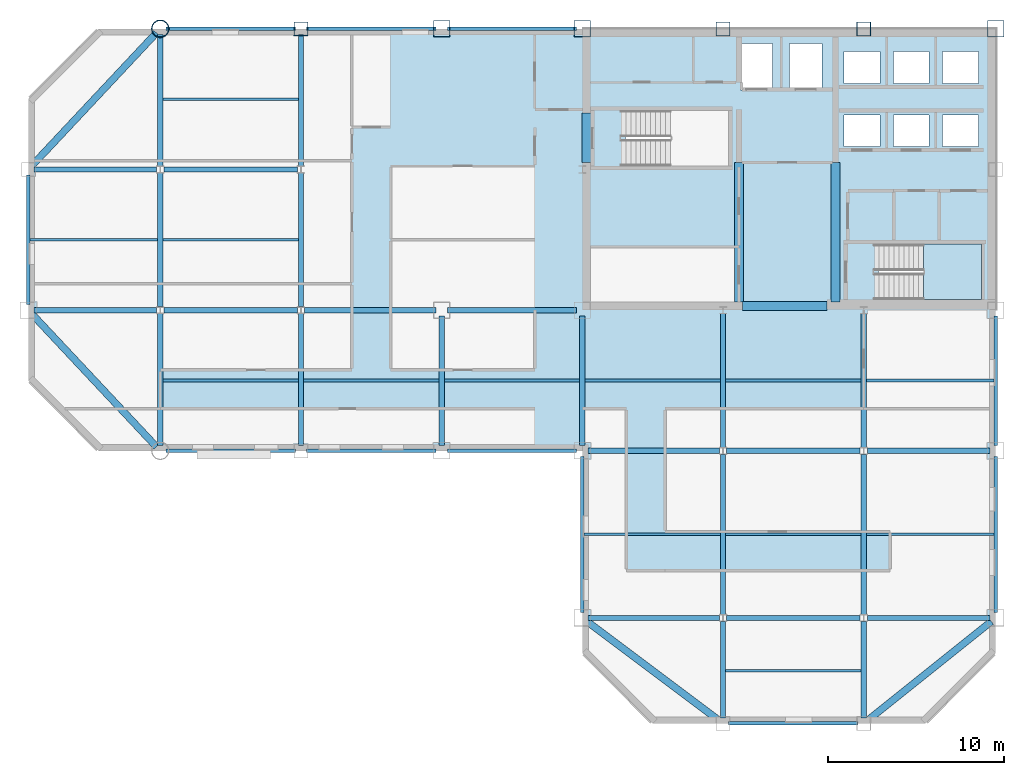
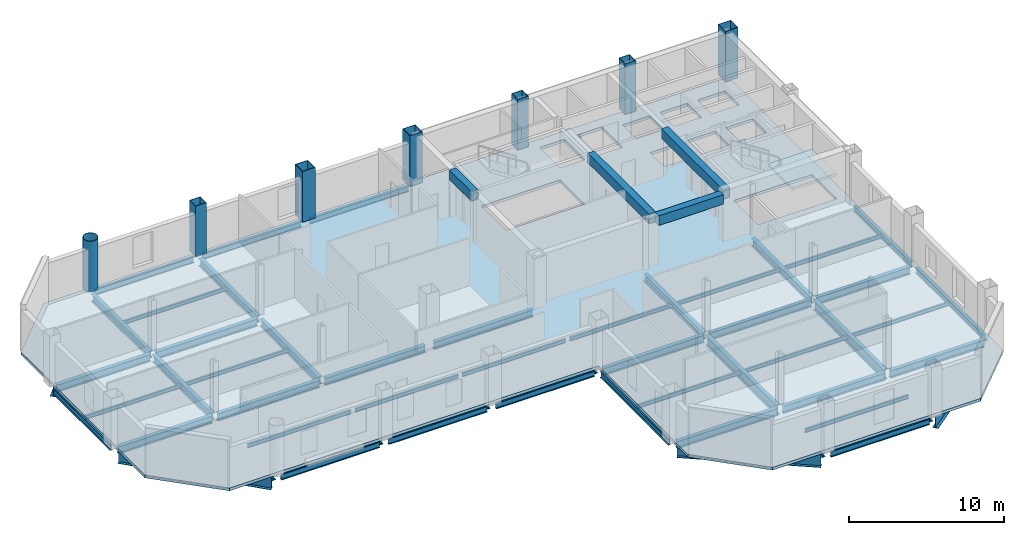
# One storey, part 3 of 10: 58 beams, 7 columns, 2 slabs, 1 element without a shape of its own.
"""IFC4 building model written with IfcOpenShell, lengths in metres."""

import ifcopenshell
import ifcopenshell.guid

model = None  # the IFC model being written
_history = None  # IfcOwnerHistory: only IFC2X3 demands one
_inside = {}  # id of a spatial element -> (the spatial element, [elements in it])
_under = {}  # id of a project, library or spatial element -> (it, [spatial elements below it])
_declared = {}  # id of a project -> (the project, [libraries it declares])
_typed = {}  # id of a type object -> (the type object, [elements of that type])
_made_of = {}  # id of a material, layer set ... -> (it, [elements and type objects made of it])


def new_model(schema):
    """Start an empty IFC model of exactly this schema.

    Asked for "IFC4X3", IfcOpenShell would pick the latest addendum, in which some entities
    have other attributes; the version numbers below select the first issue.
    IFC2X3 requires an IfcOwnerHistory on every rooted entity: one is made here for all.
    """
    global model, _history
    if schema == "IFC4X3":
        model = ifcopenshell.file(schema_version=(4, 3, 0, 0))
    else:
        model = ifcopenshell.file(schema=schema)
    _inside.clear()
    _under.clear()
    _declared.clear()
    _typed.clear()
    _made_of.clear()
    _history = None
    if model.schema == "IFC2X3":
        org = make("IfcOrganization", Name="unknown")
        user = make(
            "IfcPersonAndOrganization",
            ThePerson=make("IfcPerson", FamilyName="unknown"),
            TheOrganization=org,
        )
        app = make(
            "IfcApplication",
            ApplicationDeveloper=org,
            Version="unknown",
            ApplicationFullName="unknown",
            ApplicationIdentifier="unknown",
        )
        _history = make(
            "IfcOwnerHistory",
            OwningUser=user,
            OwningApplication=app,
            ChangeAction="ADDED",
            CreationDate=0,
        )
    return model


def make(cls, **values):
    """One entity of the class cls with the attributes given. An attribute that is None is left unset."""
    return model.create_entity(
        cls, **{name: value for name, value in values.items() if value is not None}
    )


def rooted(cls, **values):
    """An entity with a GlobalId (a new one), such as an element, a storey or a relation."""
    return make(cls, GlobalId=ifcopenshell.guid.new(), OwnerHistory=_history, **values)


def si_unit(unit_type, name, prefix=None):
    """IfcSIUnit, for example si_unit("LENGTHUNIT", "METRE", prefix="MILLI")."""
    return make("IfcSIUnit", UnitType=unit_type, Prefix=prefix, Name=name)


def assignment(units):
    """IfcUnitAssignment: the units of a project."""
    return None if units is None else make("IfcUnitAssignment", Units=units)


def point(xyz):
    """IfcCartesianPoint."""
    return None if xyz is None else make("IfcCartesianPoint", Coordinates=xyz)


def direction(xyz):
    """IfcDirection."""
    return None if xyz is None else make("IfcDirection", DirectionRatios=xyz)


def frame(location, z_axis=None, x_axis=None):
    """IfcAxis2Placement3D, a coordinate frame: its origin and axes. An axis left out is left unset."""
    return make(
        "IfcAxis2Placement3D",
        Location=point(location),
        Axis=direction(z_axis),
        RefDirection=direction(x_axis),
    )


def frame_2d(location, x_axis=None):
    """IfcAxis2Placement2D, a coordinate frame in the plane: its origin and x axis."""
    return make(
        "IfcAxis2Placement2D", Location=point(location), RefDirection=direction(x_axis)
    )


def origin():
    """The frame at (0, 0, 0) with its axes left unset."""
    return frame((0.0, 0.0, 0.0))


def origin_2d():
    """The frame at (0, 0) in the plane with its x axis left unset."""
    return frame_2d((0.0, 0.0))


def place(relative_to, where):
    """IfcLocalPlacement: puts the frame where relative to a parent placement (None: the world)."""
    return make(
        "IfcLocalPlacement", PlacementRelTo=relative_to, RelativePlacement=where
    )


def context(
    kind, dimensions, precision=None, world=None, true_north=None, identifier=None
):
    """IfcGeometricRepresentationContext, for example the 3D "Model" context."""
    return make(
        "IfcGeometricRepresentationContext",
        ContextIdentifier=identifier,
        ContextType=kind,
        CoordinateSpaceDimension=dimensions,
        Precision=precision,
        WorldCoordinateSystem=world,
        TrueNorth=true_north,
    )


def subcontext(parent, identifier, kind, view, scale=None):
    """IfcGeometricRepresentationSubContext, for example "Body" below "Model"."""
    return make(
        "IfcGeometricRepresentationSubContext",
        ContextIdentifier=identifier,
        ContextType=kind,
        ParentContext=parent,
        TargetScale=scale,
        TargetView=view,
    )


def project(units=None, contexts=None):
    """IfcProject with its units and contexts."""
    return rooted(
        "IfcProject",
        Name="project",
        RepresentationContexts=contexts,
        UnitsInContext=assignment(units),
    )


def spatial(cls, under=None, at=None, **own):
    """A site, building, storey or space (cls), placed at a placement, below another one or the project."""
    s = rooted(cls, ObjectPlacement=at, **own)
    if under is not None:
        _under.setdefault(under.id(), (under, []))[1].append(s)
    return s


def polyline(points):
    """IfcPolyline through the points."""
    return make("IfcPolyline", Points=[point(p) for p in points])


def profile(cls, at=None, kind="AREA", **sizes):
    """A parametric profile (cls). Its sizes go by their IFC names, for example OverallWidth=200.0."""
    return make(cls, ProfileType=kind, Position=at, **sizes)


def rectangle(**sizes):
    """IfcRectangleProfileDef."""
    return profile("IfcRectangleProfileDef", **sizes)


def hollow_rectangle(**sizes):
    """IfcRectangleHollowProfileDef."""
    return profile("IfcRectangleHollowProfileDef", **sizes)


def hollow_circle(**sizes):
    """IfcCircleHollowProfileDef."""
    return profile("IfcCircleHollowProfileDef", **sizes)


def i_section(**sizes):
    """IfcIShapeProfileDef."""
    return profile("IfcIShapeProfileDef", **sizes)


def outline(outer, holes=None, kind="AREA"):
    """IfcArbitraryClosedProfileDef: a profile drawn as a closed curve; with holes, ...WithVoids."""
    if holes is None:
        return make("IfcArbitraryClosedProfileDef", ProfileType=kind, OuterCurve=outer)
    return make(
        "IfcArbitraryProfileDefWithVoids",
        ProfileType=kind,
        OuterCurve=outer,
        InnerCurves=holes,
    )


def extrude(swept, where, along, depth):
    """IfcExtrudedAreaSolid: the profile swept, set in the frame where, extruded along a direction by depth."""
    return make(
        "IfcExtrudedAreaSolid",
        SweptArea=swept,
        Position=where,
        ExtrudedDirection=direction(along),
        Depth=depth,
    )


def shape(context_of_items, identifier, shape_type, items):
    """IfcShapeRepresentation: the items that make up one representation, for example the "Body"."""
    return make(
        "IfcShapeRepresentation",
        ContextOfItems=context_of_items,
        RepresentationIdentifier=identifier,
        RepresentationType=shape_type,
        Items=items,
    )


def material(Name=None, Category=None):
    """IfcMaterial."""
    return make("IfcMaterial", Name=Name, Category=Category)


def layer(
    of_material, thickness, ventilated=None, Name=None, Category=None, Priority=None
):
    """IfcMaterialLayer: one layer of a wall or slab, of a material (None: an air gap)."""
    return make(
        "IfcMaterialLayer",
        Material=of_material,
        LayerThickness=thickness,
        IsVentilated=ventilated,
        Name=Name,
        Category=Category,
        Priority=Priority,
    )


def layer_set(layers, Name=None):
    """IfcMaterialLayerSet."""
    return make("IfcMaterialLayerSet", MaterialLayers=layers, LayerSetName=Name)


def material_profile(
    of_material, cross_section, Name=None, Category=None, Priority=None
):
    """IfcMaterialProfile: a cross section and its material."""
    return make(
        "IfcMaterialProfile",
        Name=Name,
        Material=of_material,
        Profile=cross_section,
        Priority=Priority,
        Category=Category,
    )


def profile_set(profiles, Name=None, composite=None):
    """IfcMaterialProfileSet."""
    return make(
        "IfcMaterialProfileSet",
        Name=Name,
        MaterialProfiles=profiles,
        CompositeProfile=composite,
    )


def made_of(thing, what):
    """Note that an element or type object is made of a material, layer set ...; save() writes the relation."""
    if what is not None:
        _made_of.setdefault(what.id(), (what, []))[1].append(thing)
    return thing


def type_object(cls, material=None, **own):
    """A type object (cls), such as IfcWallType, which elements share."""
    return made_of(rooted(cls, **own), material)


def element(
    cls,
    number,
    at=None,
    inside=None,
    cuts=None,
    type_object=None,
    material=None,
    context=None,
    identifier="Body",
    shape_type=None,
    held_by="IfcProductDefinitionShape",
    body=None,
    shapes=None,
    **own,
):
    """One element of the class cls, such as IfcWall. Its Tag is "e" and its number.

    at: its placement. inside: the storey or other place that contains it. cuts: it is an
    opening in that element (IfcRelVoidsElement). A single representation is given by context,
    identifier, shape_type and body (its items); several are given by shapes. held_by: the class
    of the entity that holds the representations. save() writes the other relations.
    """
    e = rooted(cls, Tag="e%d" % number, ObjectPlacement=at, **own)
    if body is not None:
        shapes = [shape(context, identifier, shape_type, body)]
    if shapes is not None:
        e.Representation = make(held_by, Representations=shapes)
    if inside is not None:
        _inside.setdefault(inside.id(), (inside, []))[1].append(e)
    if cuts is not None:
        rooted(
            "IfcRelVoidsElement", RelatingBuildingElement=cuts, RelatedOpeningElement=e
        )
    if type_object is not None:
        _typed.setdefault(type_object.id(), (type_object, []))[1].append(e)
    return made_of(e, material)


def aggregate(whole, parts):
    """IfcRelAggregates: a whole, such as a stair, and the parts it consists of."""
    return rooted("IfcRelAggregates", RelatingObject=whole, RelatedObjects=parts)


def save(model, path):
    """Write the relations noted so far, then the file.

    IfcRelAggregates (storeys below a building ...), IfcRelContainedInSpatialStructure (elements
    in a storey), IfcRelDefinesByType, IfcRelAssociatesMaterial and IfcRelDeclares: one each for
    every whole, place, type object, material and project.
    """
    for whole, parts in _under.values():
        aggregate(whole, parts)
    for where, things in _inside.values():
        rooted(
            "IfcRelContainedInSpatialStructure",
            RelatedElements=things,
            RelatingStructure=where,
        )
    for kind, things in _typed.values():
        rooted("IfcRelDefinesByType", RelatedObjects=things, RelatingType=kind)
    for what, things in _made_of.values():
        rooted("IfcRelAssociatesMaterial", RelatedObjects=things, RelatingMaterial=what)
    for by, libraries in _declared.values():
        rooted("IfcRelDeclares", RelatingContext=by, RelatedDefinitions=libraries)
    model.write(path)


model = new_model("IFC4")

# Units and contexts
model_context = context("Model", 3, precision=1e-05, world=origin(), true_north=direction((0.0, 1.0)))
body_context = subcontext(model_context, "Body", "Model", "MODEL_VIEW")
ifc_project = project(units=[si_unit("LENGTHUNIT", "METRE"), si_unit("AREAUNIT", "SQUARE_METRE"), si_unit("VOLUMEUNIT", "CUBIC_METRE"), si_unit("PLANEANGLEUNIT", "RADIAN"), si_unit("MASSUNIT", "GRAM", prefix="KILO")], contexts=[model_context])

# Site, building, storey
site_placement = place(None, origin())
site = spatial("IfcSite", under=ifc_project, at=site_placement, CompositionType="ELEMENT")
building_placement = place(site_placement, origin())
building = spatial("IfcBuilding", under=site, at=building_placement, Name="Qianrong Seaharbour Tower", CompositionType="ELEMENT")
storey_placement = place(building_placement, frame((0.0, 0.0, 257.800048828125)))
storey = spatial("IfcBuildingStorey", under=building, at=storey_placement, Name="L62", CompositionType="ELEMENT", Elevation=257.800048828125)

# Columns
ifc_material_1 = material(Name="Structural steel SN490B", Category="steel")
ifc_material_profile_1 = material_profile(ifc_material_1, hollow_rectangle(XDim=0.949951171875, YDim=0.949951171875, WallThickness=0.035888671875, at=origin_2d()), Name="BOX950x950x36")
ifc_profile_set_1 = profile_set([ifc_material_profile_1], Name="Structural steel SN490B")
column_type_1 = type_object("IfcColumnType", Name="COL-CFT-950", PredefinedType="COLUMN", material=ifc_profile_set_1)
for number, where, z_axis, x_axis, name in (
    (1, (32.5, 52.0, 0.0), (0.0, 0.0, 1.0), (1.0, 0.0, 0.0), "L62 Column MC-4 at G5/GH"),
    (2, (40.5, 52.0, 0.0), (0.0, 0.0, 1.0), (1.0, 0.0, 0.0), "L62 Column MC-4 at G6/GH"),
    (3, (64.0, 52.0, 0.0), (0.0, 0.0, 1.0), (1.0, 0.0, 0.0), "L62 Column MC-4 at G9/GH"),
):
    element("IfcColumn", number, at=place(storey_placement, frame(where, z_axis=z_axis, x_axis=x_axis)), inside=storey, type_object=column_type_1, Name=name, PredefinedType="COLUMN", context=body_context, shape_type="SweptSolid", body=[
        extrude(hollow_rectangle(XDim=0.949951171875, YDim=0.949951171875, WallThickness=0.035888671875, at=origin_2d()), origin(), (0.0, 0.0, 1.0), 4.0),
    ])
ifc_material_profile_2 = material_profile(ifc_material_1, hollow_circle(Radius=0.5, WallThickness=0.035888671875, at=origin_2d()), Name="CHS1000x36")
ifc_profile_set_2 = profile_set([ifc_material_profile_2], Name="Structural steel SN490B")
column_type_2 = type_object("IfcColumnType", Name="COL-CHS-1000", PredefinedType="COLUMN", material=ifc_profile_set_2)
column_placement = place(storey_placement, frame((16.5, 52.0, 0.0), z_axis=(0.0, 0.0, 1.0), x_axis=(1.0, 0.0, 0.0)))
element("IfcColumn", 4, at=column_placement, inside=storey, type_object=column_type_2, Name="L62 Column CC-2 at G3/GH", PredefinedType="COLUMN", context=body_context, shape_type="SweptSolid", body=[
    extrude(hollow_circle(Radius=0.5, WallThickness=0.035888671875, at=origin_2d()), origin(), (0.0, 0.0, 1.0), 4.0),
])
ifc_material_profile_3 = material_profile(ifc_material_1, hollow_rectangle(XDim=0.800048828125, YDim=0.800048828125, WallThickness=0.031982421875, at=origin_2d()), Name="BOX800x800x32")
ifc_profile_set_3 = profile_set([ifc_material_profile_3], Name="Structural steel SN490B")
column_type_3 = type_object("IfcColumnType", Name="COL-PER-800", PredefinedType="COLUMN", material=ifc_profile_set_3)
for number, where, z_axis, x_axis, name in (
    (5, (24.5, 52.0, 0.0), (0.0, 0.0, 1.0), (1.0, 0.0, 0.0), "L62 Column PC-3 at G4/GH"),
    (6, (48.5, 52.0, 0.0), (0.0, 0.0, 1.0), (1.0, 0.0, 0.0), "L62 Column PC-3 at G7/GH"),
    (7, (56.5, 52.0, 0.0), (0.0, 0.0, 1.0), (1.0, 0.0, 0.0), "L62 Column PC-3 at G8/GH"),
):
    element("IfcColumn", number, at=place(storey_placement, frame(where, z_axis=z_axis, x_axis=x_axis)), inside=storey, type_object=column_type_3, Name=name, PredefinedType="COLUMN", context=body_context, shape_type="SweptSolid", body=[
        extrude(hollow_rectangle(XDim=0.800048828125, YDim=0.800048828125, WallThickness=0.031982421875, at=origin_2d()), origin(), (0.0, 0.0, 1.0), 4.0),
    ])

# Beams
ifc_material_profile_4 = material_profile(ifc_material_1, i_section(OverallWidth=0.300048828125, OverallDepth=0.587890625, WebThickness=0.011962890625, FlangeThickness=0.02001953125, FilletRadius=0.02392578125, at=origin_2d()), Name="H588x300x12x20")
ifc_profile_set_4 = profile_set([ifc_material_profile_4], Name="Structural steel SN490B")
beam_type_1 = type_object("IfcBeamType", Name="BM-G-588", PredefinedType="BEAM", material=ifc_profile_set_4)
beam_1_placement = place(storey_placement, frame((40.820068359375, 18.5, -0.51904296875), z_axis=(1.0, 0.0, 0.0), x_axis=(0.0, 1.0, 0.0)))
element("IfcBeam", 8, at=beam_1_placement, inside=storey, type_object=beam_type_1, Name="L62 Primary Girder GD G6-G7", PredefinedType="BEAM", context=body_context, shape_type="SweptSolid", body=[
    extrude(i_section(OverallWidth=0.300048828125, OverallDepth=0.587890625, WebThickness=0.011962890625, FlangeThickness=0.02001953125, FilletRadius=0.02392578125, at=origin_2d()), origin(), (0.0, 0.0, 1.0), 7.47998046875),
])
beam_2_placement = place(storey_placement, frame((48.699951171875, 18.5, -0.51904296875), z_axis=(1.0, 0.0, 0.0), x_axis=(0.0, 1.0, 0.0)))
element("IfcBeam", 9, at=beam_2_placement, inside=storey, type_object=beam_type_1, Name="L62 Primary Girder GD G7-G8", PredefinedType="BEAM", context=body_context, shape_type="SweptSolid", body=[
    extrude(i_section(OverallWidth=0.300048828125, OverallDepth=0.587890625, WebThickness=0.011962890625, FlangeThickness=0.02001953125, FilletRadius=0.02392578125, at=origin_2d()), origin(), (0.0, 0.0, 1.0), 7.60009765625),
])
beam_3_placement = place(storey_placement, frame((56.699951171875, 18.5, -0.51904296875), z_axis=(1.0, 0.0, 0.0), x_axis=(0.0, 1.0, 0.0)))
element("IfcBeam", 10, at=beam_3_placement, inside=storey, type_object=beam_type_1, Name="L62 Primary Girder GD G8-G9", PredefinedType="BEAM", context=body_context, shape_type="SweptSolid", body=[
    extrude(i_section(OverallWidth=0.300048828125, OverallDepth=0.587890625, WebThickness=0.011962890625, FlangeThickness=0.02001953125, FilletRadius=0.02392578125, at=origin_2d()), origin(), (0.0, 0.0, 1.0), 6.97998046875),
])
beam_4_placement = place(storey_placement, frame((40.820068359375, 28.0, -0.51904296875), z_axis=(1.0, 0.0, 0.0), x_axis=(0.0, 1.0, 0.0)))
element("IfcBeam", 11, at=beam_4_placement, inside=storey, type_object=beam_type_1, Name="L62 Primary Girder GE G6-G7", PredefinedType="BEAM", context=body_context, shape_type="SweptSolid", body=[
    extrude(i_section(OverallWidth=0.300048828125, OverallDepth=0.587890625, WebThickness=0.011962890625, FlangeThickness=0.02001953125, FilletRadius=0.02392578125, at=origin_2d()), origin(), (0.0, 0.0, 1.0), 7.47998046875),
])
beam_5_placement = place(storey_placement, frame((48.699951171875, 28.0, -0.51904296875), z_axis=(1.0, 0.0, 0.0), x_axis=(0.0, 1.0, 0.0)))
element("IfcBeam", 12, at=beam_5_placement, inside=storey, type_object=beam_type_1, Name="L62 Primary Girder GE G7-G8", PredefinedType="BEAM", context=body_context, shape_type="SweptSolid", body=[
    extrude(i_section(OverallWidth=0.300048828125, OverallDepth=0.587890625, WebThickness=0.011962890625, FlangeThickness=0.02001953125, FilletRadius=0.02392578125, at=origin_2d()), origin(), (0.0, 0.0, 1.0), 7.60009765625),
])
for number, where, z_axis, x_axis, name in (
    (13, (56.699951171875, 28.0, -0.51904296875), (1.0, 0.0, 0.0), (0.0, 1.0, 0.0), "L62 Primary Girder GE G8-G9"),
    (14, (9.320068359375, 36.0, -0.51904296875), (1.0, 0.0, 0.0), (0.0, 1.0, 0.0), "L62 Primary Girder GF G2-G3"),
):
    element("IfcBeam", number, at=place(storey_placement, frame(where, z_axis=z_axis, x_axis=x_axis)), inside=storey, type_object=beam_type_1, Name=name, PredefinedType="BEAM", context=body_context, shape_type="SweptSolid", body=[
        extrude(i_section(OverallWidth=0.300048828125, OverallDepth=0.587890625, WebThickness=0.011962890625, FlangeThickness=0.02001953125, FilletRadius=0.02392578125, at=origin_2d()), origin(), (0.0, 0.0, 1.0), 6.97998046875),
    ])
beam_6_placement = place(storey_placement, frame((16.699951171875, 36.0, -0.51904296875), z_axis=(1.0, 0.0, 0.0), x_axis=(0.0, 1.0, 0.0)))
element("IfcBeam", 15, at=beam_6_placement, inside=storey, type_object=beam_type_1, Name="L62 Primary Girder GF G3-G4", PredefinedType="BEAM", context=body_context, shape_type="SweptSolid", body=[
    extrude(i_section(OverallWidth=0.300048828125, OverallDepth=0.587890625, WebThickness=0.011962890625, FlangeThickness=0.02001953125, FilletRadius=0.02392578125, at=origin_2d()), origin(), (0.0, 0.0, 1.0), 7.60009765625),
])
beam_7_placement = place(storey_placement, frame((24.699951171875, 36.0, -0.51904296875), z_axis=(1.0, 0.0, 0.0), x_axis=(0.0, 1.0, 0.0)))
element("IfcBeam", 16, at=beam_7_placement, inside=storey, type_object=beam_type_1, Name="L62 Primary Girder GF G4-G5", PredefinedType="BEAM", context=body_context, shape_type="SweptSolid", body=[
    extrude(i_section(OverallWidth=0.300048828125, OverallDepth=0.587890625, WebThickness=0.011962890625, FlangeThickness=0.02001953125, FilletRadius=0.02392578125, at=origin_2d()), origin(), (0.0, 0.0, 1.0), 7.47998046875),
])
beam_8_placement = place(storey_placement, frame((32.820068359375, 36.0, -0.51904296875), z_axis=(1.0, 0.0, 0.0), x_axis=(0.0, 1.0, 0.0)))
element("IfcBeam", 17, at=beam_8_placement, inside=storey, type_object=beam_type_1, Name="L62 Primary Girder GF G5-G6", PredefinedType="BEAM", context=body_context, shape_type="SweptSolid", body=[
    extrude(i_section(OverallWidth=0.300048828125, OverallDepth=0.587890625, WebThickness=0.011962890625, FlangeThickness=0.02001953125, FilletRadius=0.02392578125, at=origin_2d()), origin(), (0.0, 0.0, 1.0), 7.35986328125),
])
beam_9_placement = place(storey_placement, frame((9.320068359375, 44.0, -0.51904296875), z_axis=(1.0, 0.0, 0.0), x_axis=(0.0, 1.0, 0.0)))
element("IfcBeam", 18, at=beam_9_placement, inside=storey, type_object=beam_type_1, Name="L62 Primary Girder GG G2-G3", PredefinedType="BEAM", context=body_context, shape_type="SweptSolid", body=[
    extrude(i_section(OverallWidth=0.300048828125, OverallDepth=0.587890625, WebThickness=0.011962890625, FlangeThickness=0.02001953125, FilletRadius=0.02392578125, at=origin_2d()), origin(), (0.0, 0.0, 1.0), 6.97998046875),
])
beam_10_placement = place(storey_placement, frame((16.699951171875, 44.0, -0.51904296875), z_axis=(1.0, 0.0, 0.0), x_axis=(0.0, 1.0, 0.0)))
element("IfcBeam", 19, at=beam_10_placement, inside=storey, type_object=beam_type_1, Name="L62 Primary Girder GG G3-G4", PredefinedType="BEAM", context=body_context, shape_type="SweptSolid", body=[
    extrude(i_section(OverallWidth=0.300048828125, OverallDepth=0.587890625, WebThickness=0.011962890625, FlangeThickness=0.02001953125, FilletRadius=0.02392578125, at=origin_2d()), origin(), (0.0, 0.0, 1.0), 7.60009765625),
])
beam_11_placement = place(storey_placement, frame((16.5, 28.320068359375, -0.51904296875), z_axis=(0.0, 1.0, 0.0), x_axis=(-1.0, 0.0, 0.0)))
element("IfcBeam", 20, at=beam_11_placement, inside=storey, type_object=beam_type_1, Name="L62 Primary Girder G3 GE-GF", PredefinedType="BEAM", context=body_context, shape_type="SweptSolid", body=[
    extrude(i_section(OverallWidth=0.300048828125, OverallDepth=0.587890625, WebThickness=0.011962890625, FlangeThickness=0.02001953125, FilletRadius=0.02392578125, at=origin_2d()), origin(), (0.0, 0.0, 1.0), 7.47998046875),
])
beam_12_placement = place(storey_placement, frame((16.5, 36.199951171875, -0.51904296875), z_axis=(0.0, 1.0, 0.0), x_axis=(-1.0, 0.0, 0.0)))
element("IfcBeam", 21, at=beam_12_placement, inside=storey, type_object=beam_type_1, Name="L62 Primary Girder G3 GF-GG", PredefinedType="BEAM", context=body_context, shape_type="SweptSolid", body=[
    extrude(i_section(OverallWidth=0.300048828125, OverallDepth=0.587890625, WebThickness=0.011962890625, FlangeThickness=0.02001953125, FilletRadius=0.02392578125, at=origin_2d()), origin(), (0.0, 0.0, 1.0), 7.60009765625),
])
for number, where, z_axis, x_axis, name in (
    (22, (16.5, 44.199951171875, -0.51904296875), (0.0, 1.0, 0.0), (-1.0, 0.0, 0.0), "L62 Primary Girder G3 GG-GH"),
    (23, (24.5, 28.320068359375, -0.51904296875), (0.0, 1.0, 0.0), (-1.0, 0.0, 0.0), "L62 Primary Girder G4 GE-GF"),
):
    element("IfcBeam", number, at=place(storey_placement, frame(where, z_axis=z_axis, x_axis=x_axis)), inside=storey, type_object=beam_type_1, Name=name, PredefinedType="BEAM", context=body_context, shape_type="SweptSolid", body=[
        extrude(i_section(OverallWidth=0.300048828125, OverallDepth=0.587890625, WebThickness=0.011962890625, FlangeThickness=0.02001953125, FilletRadius=0.02392578125, at=origin_2d()), origin(), (0.0, 0.0, 1.0), 7.47998046875),
    ])
beam_13_placement = place(storey_placement, frame((24.5, 36.199951171875, -0.51904296875), z_axis=(0.0, 1.0, 0.0), x_axis=(-1.0, 0.0, 0.0)))
element("IfcBeam", 24, at=beam_13_placement, inside=storey, type_object=beam_type_1, Name="L62 Primary Girder G4 GF-GG", PredefinedType="BEAM", context=body_context, shape_type="SweptSolid", body=[
    extrude(i_section(OverallWidth=0.300048828125, OverallDepth=0.587890625, WebThickness=0.011962890625, FlangeThickness=0.02001953125, FilletRadius=0.02392578125, at=origin_2d()), origin(), (0.0, 0.0, 1.0), 7.60009765625),
])
beam_14_placement = place(storey_placement, frame((24.5, 44.199951171875, -0.51904296875), z_axis=(0.0, 1.0, 0.0), x_axis=(-1.0, 0.0, 0.0)))
element("IfcBeam", 25, at=beam_14_placement, inside=storey, type_object=beam_type_1, Name="L62 Primary Girder G4 GG-GH", PredefinedType="BEAM", context=body_context, shape_type="SweptSolid", body=[
    extrude(i_section(OverallWidth=0.300048828125, OverallDepth=0.587890625, WebThickness=0.011962890625, FlangeThickness=0.02001953125, FilletRadius=0.02392578125, at=origin_2d()), origin(), (0.0, 0.0, 1.0), 7.47998046875),
])
for number, where, z_axis, x_axis, name in (
    (26, (32.5, 28.320068359375, -0.51904296875), (0.0, 1.0, 0.0), (-1.0, 0.0, 0.0), "L62 Primary Girder G5 GE-GF"),
    (27, (40.5, 28.320068359375, -0.51904296875), (0.0, 1.0, 0.0), (-1.0, 0.0, 0.0), "L62 Primary Girder G6 GE-GF"),
):
    element("IfcBeam", number, at=place(storey_placement, frame(where, z_axis=z_axis, x_axis=x_axis)), inside=storey, type_object=beam_type_1, Name=name, PredefinedType="BEAM", context=body_context, shape_type="SweptSolid", body=[
        extrude(i_section(OverallWidth=0.300048828125, OverallDepth=0.587890625, WebThickness=0.011962890625, FlangeThickness=0.02001953125, FilletRadius=0.02392578125, at=origin_2d()), origin(), (0.0, 0.0, 1.0), 7.35986328125),
    ])
beam_15_placement = place(storey_placement, frame((48.5, 12.820068359375, -0.51904296875), z_axis=(0.0, 1.0, 0.0), x_axis=(-1.0, 0.0, 0.0)))
element("IfcBeam", 28, at=beam_15_placement, inside=storey, type_object=beam_type_1, Name="L62 Primary Girder G7 GC-GD", PredefinedType="BEAM", context=body_context, shape_type="SweptSolid", body=[
    extrude(i_section(OverallWidth=0.300048828125, OverallDepth=0.587890625, WebThickness=0.011962890625, FlangeThickness=0.02001953125, FilletRadius=0.02392578125, at=origin_2d()), origin(), (0.0, 0.0, 1.0), 5.47998046875),
])
beam_16_placement = place(storey_placement, frame((48.5, 28.199951171875, -0.51904296875), z_axis=(0.0, 1.0, 0.0), x_axis=(-1.0, 0.0, 0.0)))
element("IfcBeam", 29, at=beam_16_placement, inside=storey, type_object=beam_type_1, Name="L62 Primary Girder G7 GE-GF", PredefinedType="BEAM", context=body_context, shape_type="SweptSolid", body=[
    extrude(i_section(OverallWidth=0.300048828125, OverallDepth=0.587890625, WebThickness=0.011962890625, FlangeThickness=0.02001953125, FilletRadius=0.02392578125, at=origin_2d()), origin(), (0.0, 0.0, 1.0), 7.60009765625),
])
beam_17_placement = place(storey_placement, frame((56.5, 12.820068359375, -0.51904296875), z_axis=(0.0, 1.0, 0.0), x_axis=(-1.0, 0.0, 0.0)))
element("IfcBeam", 30, at=beam_17_placement, inside=storey, type_object=beam_type_1, Name="L62 Primary Girder G8 GC-GD", PredefinedType="BEAM", context=body_context, shape_type="SweptSolid", body=[
    extrude(i_section(OverallWidth=0.300048828125, OverallDepth=0.587890625, WebThickness=0.011962890625, FlangeThickness=0.02001953125, FilletRadius=0.02392578125, at=origin_2d()), origin(), (0.0, 0.0, 1.0), 5.47998046875),
])
beam_18_placement = place(storey_placement, frame((56.5, 28.199951171875, -0.51904296875), z_axis=(0.0, 1.0, 0.0), x_axis=(-1.0, 0.0, 0.0)))
element("IfcBeam", 31, at=beam_18_placement, inside=storey, type_object=beam_type_1, Name="L62 Primary Girder G8 GE-GF", PredefinedType="BEAM", context=body_context, shape_type="SweptSolid", body=[
    extrude(i_section(OverallWidth=0.300048828125, OverallDepth=0.587890625, WebThickness=0.011962890625, FlangeThickness=0.02001953125, FilletRadius=0.02392578125, at=origin_2d()), origin(), (0.0, 0.0, 1.0), 7.60009765625),
])
ifc_material_profile_5 = material_profile(ifc_material_1, i_section(OverallWidth=0.300048828125, OverallDepth=0.800048828125, WebThickness=0.013916015625, FlangeThickness=0.02587890625, FilletRadius=0.028076171875, at=origin_2d()), Name="H800x300x14x26")
ifc_profile_set_5 = profile_set([ifc_material_profile_5], Name="Structural steel SN490B")
beam_type_2 = type_object("IfcBeamType", Name="BM-G-800", PredefinedType="BEAM", material=ifc_profile_set_5)
for number, where, z_axis, x_axis, name in (
    (32, (48.5, 18.699951171875, -0.625), (0.0, 1.0, 0.0), (-1.0, 0.0, 0.0), "L62 Primary Girder G7 GD-GE"),
    (33, (56.5, 18.699951171875, -0.625), (0.0, 1.0, 0.0), (-1.0, 0.0, 0.0), "L62 Primary Girder G8 GD-GE"),
):
    element("IfcBeam", number, at=place(storey_placement, frame(where, z_axis=z_axis, x_axis=x_axis)), inside=storey, type_object=beam_type_2, Name=name, PredefinedType="BEAM", context=body_context, shape_type="SweptSolid", body=[
        extrude(i_section(OverallWidth=0.300048828125, OverallDepth=0.800048828125, WebThickness=0.013916015625, FlangeThickness=0.02587890625, FilletRadius=0.028076171875, at=origin_2d()), origin(), (0.0, 0.0, 1.0), 9.10009765625),
    ])
ifc_material_2 = material(Name="Structural steel SN400B", Category="steel")
ifc_material_profile_6 = material_profile(ifc_material_2, i_section(OverallWidth=0.14990234375, OverallDepth=0.300048828125, WebThickness=0.006591796875, FlangeThickness=0.009033203125, FilletRadius=0.012939453125, at=origin_2d()), Name="H300x150x6.5x9")
ifc_profile_set_6 = profile_set([ifc_material_profile_6], Name="Structural steel SN400B")
beam_type_3 = type_object("IfcBeamType", Name="BM-J-300", PredefinedType="JOIST", material=ifc_profile_set_6)
beam_19_placement = place(storey_placement, frame((9.10009765625, 40.0, -0.375), z_axis=(1.0, 0.0, 0.0), x_axis=(0.0, 1.0, 0.0)))
element("IfcBeam", 34, at=beam_19_placement, inside=storey, type_object=beam_type_3, Name="L62 Composite Floor Joist G2-G3/GF-GG", PredefinedType="JOIST", context=body_context, shape_type="SweptSolid", body=[
    extrude(i_section(OverallWidth=0.14990234375, OverallDepth=0.300048828125, WebThickness=0.006591796875, FlangeThickness=0.009033203125, FilletRadius=0.012939453125, at=origin_2d()), origin(), (0.0, 0.0, 1.0), 7.25),
])
for number, where, z_axis, x_axis, name in (
    (35, (16.64990234375, 32.0, -0.375), (1.0, 0.0, 0.0), (0.0, 1.0, 0.0), "L62 Composite Floor Joist G3-G4/GE-GF"),
    (36, (16.64990234375, 40.0, -0.375), (1.0, 0.0, 0.0), (0.0, 1.0, 0.0), "L62 Composite Floor Joist G3-G4/GF-GG"),
    (37, (16.64990234375, 48.0, -0.375), (1.0, 0.0, 0.0), (0.0, 1.0, 0.0), "L62 Composite Floor Joist G3-G4/GG-GH"),
    (38, (24.64990234375, 32.0, -0.375), (1.0, 0.0, 0.0), (0.0, 1.0, 0.0), "L62 Composite Floor Joist G4-G5/GE-GF"),
    (39, (32.64990234375, 32.0, -0.375), (1.0, 0.0, 0.0), (0.0, 1.0, 0.0), "L62 Composite Floor Joist G5-G6/GE-GF"),
):
    element("IfcBeam", number, at=place(storey_placement, frame(where, z_axis=z_axis, x_axis=x_axis)), inside=storey, type_object=beam_type_3, Name=name, PredefinedType="JOIST", context=body_context, shape_type="SweptSolid", body=[
        extrude(i_section(OverallWidth=0.14990234375, OverallDepth=0.300048828125, WebThickness=0.006591796875, FlangeThickness=0.009033203125, FilletRadius=0.012939453125, at=origin_2d()), origin(), (0.0, 0.0, 1.0), 7.7001953125),
    ])
beam_20_placement = place(storey_placement, frame((40.60009765625, 23.25, -0.375), z_axis=(1.0, 0.0, 0.0), x_axis=(0.0, 1.0, 0.0)))
element("IfcBeam", 40, at=beam_20_placement, inside=storey, type_object=beam_type_3, Name="L62 Composite Floor Joist G6-G7/GD-GE", PredefinedType="JOIST", context=body_context, shape_type="SweptSolid", body=[
    extrude(i_section(OverallWidth=0.14990234375, OverallDepth=0.300048828125, WebThickness=0.006591796875, FlangeThickness=0.009033203125, FilletRadius=0.012939453125, at=origin_2d()), origin(), (0.0, 0.0, 1.0), 7.75),
])
for number, where, z_axis, x_axis, name in (
    (41, (40.64990234375, 32.0, -0.375), (1.0, 0.0, 0.0), (0.0, 1.0, 0.0), "L62 Composite Floor Joist G6-G7/GE-GF"),
    (42, (48.64990234375, 15.5, -0.375), (1.0, 0.0, 0.0), (0.0, 1.0, 0.0), "L62 Composite Floor Joist G7-G8/GC-GD"),
    (43, (48.64990234375, 23.25, -0.375), (1.0, 0.0, 0.0), (0.0, 1.0, 0.0), "L62 Composite Floor Joist G7-G8/GD-GE"),
    (44, (48.64990234375, 32.0, -0.375), (1.0, 0.0, 0.0), (0.0, 1.0, 0.0), "L62 Composite Floor Joist G7-G8/GE-GF"),
):
    element("IfcBeam", number, at=place(storey_placement, frame(where, z_axis=z_axis, x_axis=x_axis)), inside=storey, type_object=beam_type_3, Name=name, PredefinedType="JOIST", context=body_context, shape_type="SweptSolid", body=[
        extrude(i_section(OverallWidth=0.14990234375, OverallDepth=0.300048828125, WebThickness=0.006591796875, FlangeThickness=0.009033203125, FilletRadius=0.012939453125, at=origin_2d()), origin(), (0.0, 0.0, 1.0), 7.7001953125),
    ])
for number, where, z_axis, x_axis, name in (
    (45, (56.64990234375, 23.25, -0.375), (1.0, 0.0, 0.0), (0.0, 1.0, 0.0), "L62 Composite Floor Joist G8-G9/GD-GE"),
    (46, (56.64990234375, 32.0, -0.375), (1.0, 0.0, 0.0), (0.0, 1.0, 0.0), "L62 Composite Floor Joist G8-G9/GE-GF"),
):
    element("IfcBeam", number, at=place(storey_placement, frame(where, z_axis=z_axis, x_axis=x_axis)), inside=storey, type_object=beam_type_3, Name=name, PredefinedType="JOIST", context=body_context, shape_type="SweptSolid", body=[
        extrude(i_section(OverallWidth=0.14990234375, OverallDepth=0.300048828125, WebThickness=0.006591796875, FlangeThickness=0.009033203125, FilletRadius=0.012939453125, at=origin_2d()), origin(), (0.0, 0.0, 1.0), 7.25),
    ])
ifc_material_3 = material(Name="Concrete C60/75", Category="concrete")
ifc_material_profile_7 = material_profile(ifc_material_3, rectangle(XDim=0.5, YDim=0.75, at=origin_2d()), Name="RC500x750")
ifc_profile_set_7 = profile_set([ifc_material_profile_7], Name="Concrete C60/75")
beam_type_4 = type_object("IfcBeamType", Name="BM-LINTEL-750", PredefinedType="LINTEL", material=ifc_profile_set_7)
beam_21_placement = place(storey_placement, frame((40.72998046875, 44.39990234375, 3.39990234375), z_axis=(0.0, 1.0, 0.0), x_axis=(-1.0, 0.0, 0.0)))
element("IfcBeam", 47, at=beam_21_placement, inside=storey, type_object=beam_type_4, Name="L62 Core Coupling Lintel Beam West", PredefinedType="LINTEL", context=body_context, shape_type="SweptSolid", body=[
    extrude(rectangle(XDim=0.5, YDim=0.75, at=origin_2d()), origin(), (0.0, 0.0, 1.0), 2.800048828125),
])
beam_22_placement = place(storey_placement, frame((49.60009765625, 36.22998046875, 3.39990234375), z_axis=(1.0, 0.0, 0.0), x_axis=(0.0, 1.0, 0.0)))
element("IfcBeam", 48, at=beam_22_placement, inside=storey, type_object=beam_type_4, Name="L62 Core Coupling Lintel Beam CBC", PredefinedType="LINTEL", context=body_context, shape_type="SweptSolid", body=[
    extrude(rectangle(XDim=0.5, YDim=0.75, at=origin_2d()), origin(), (0.0, 0.0, 1.0), 4.7998046875),
])
for number, where, z_axis, x_axis, name in (
    (49, (49.39990234375, 36.4599609375, 3.39990234375), (0.0, 1.0, 0.0), (-1.0, 0.0, 0.0), "L62 Internal Core Coupling Beam IW1"),
    (50, (54.89990234375, 36.4599609375, 3.39990234375), (0.0, 1.0, 0.0), (-1.0, 0.0, 0.0), "L62 Internal Core Coupling Beam IW2"),
):
    element("IfcBeam", number, at=place(storey_placement, frame(where, z_axis=z_axis, x_axis=x_axis)), inside=storey, type_object=beam_type_4, Name=name, PredefinedType="LINTEL", context=body_context, shape_type="SweptSolid", body=[
        extrude(rectangle(XDim=0.5, YDim=0.75, at=origin_2d()), origin(), (0.0, 0.0, 1.0), 7.93994140625),
    ])
ifc_material_profile_8 = material_profile(ifc_material_2, i_section(OverallWidth=0.199951171875, OverallDepth=0.449951171875, WebThickness=0.009033203125, FlangeThickness=0.013916015625, FilletRadius=0.01806640625, at=origin_2d()), Name="H450x200x9x14")
ifc_profile_set_8 = profile_set([ifc_material_profile_8], Name="Structural steel SN400B")
beam_type_5 = type_object("IfcBeamType", Name="BM-SP-450", PredefinedType="SPANDREL", material=ifc_profile_set_8)
for number, where, z_axis, x_axis, name in (
    (51, (48.820068359375, 12.5, -0.449951171875), (1.0, 0.0, 0.0), (0.0, 1.0, 0.0), "L62 Spandrel Girder GC G7-G8"),
    (52, (16.820068359375, 28.0, -0.449951171875), (1.0, 0.0, 0.0), (0.0, 1.0, 0.0), "L62 Spandrel Girder GE G3-G4"),
    (53, (24.820068359375, 28.0, -0.449951171875), (1.0, 0.0, 0.0), (0.0, 1.0, 0.0), "L62 Spandrel Girder GE G4-G5"),
    (54, (32.820068359375, 28.0, -0.449951171875), (1.0, 0.0, 0.0), (0.0, 1.0, 0.0), "L62 Spandrel Girder GE G5-G6"),
    (55, (16.820068359375, 52.0, -0.449951171875), (1.0, 0.0, 0.0), (0.0, 1.0, 0.0), "L62 Spandrel Girder GH G3-G4"),
    (56, (24.820068359375, 52.0, -0.449951171875), (1.0, 0.0, 0.0), (0.0, 1.0, 0.0), "L62 Spandrel Girder GH G4-G5"),
    (57, (32.820068359375, 52.0, -0.449951171875), (1.0, 0.0, 0.0), (0.0, 1.0, 0.0), "L62 Spandrel Girder GH G5-G6"),
    (58, (9.0, 36.320068359375, -0.449951171875), (0.0, 1.0, 0.0), (-1.0, 0.0, 0.0), "L62 Spandrel Girder G2 GF-GG"),
):
    element("IfcBeam", number, at=place(storey_placement, frame(where, z_axis=z_axis, x_axis=x_axis)), inside=storey, type_object=beam_type_5, Name=name, PredefinedType="SPANDREL", context=body_context, shape_type="SweptSolid", body=[
        extrude(i_section(OverallWidth=0.199951171875, OverallDepth=0.449951171875, WebThickness=0.009033203125, FlangeThickness=0.013916015625, FilletRadius=0.01806640625, at=origin_2d()), origin(), (0.0, 0.0, 1.0), 7.35986328125),
    ])
for number, where, z_axis, x_axis, name in (
    (59, (40.5, 18.820068359375, -0.449951171875), (0.0, 1.0, 0.0), (-1.0, 0.0, 0.0), "L62 Spandrel Girder G6 GD-GE"),
    (60, (64.0, 18.820068359375, -0.449951171875), (0.0, 1.0, 0.0), (-1.0, 0.0, 0.0), "L62 Spandrel Girder G9 GD-GE"),
):
    element("IfcBeam", number, at=place(storey_placement, frame(where, z_axis=z_axis, x_axis=x_axis)), inside=storey, type_object=beam_type_5, Name=name, PredefinedType="SPANDREL", context=body_context, shape_type="SweptSolid", body=[
        extrude(i_section(OverallWidth=0.199951171875, OverallDepth=0.449951171875, WebThickness=0.009033203125, FlangeThickness=0.013916015625, FilletRadius=0.01806640625, at=origin_2d()), origin(), (0.0, 0.0, 1.0), 8.85986328125),
    ])
beam_23_placement = place(storey_placement, frame((64.0, 28.320068359375, -0.449951171875), z_axis=(0.0, 1.0, 0.0), x_axis=(-1.0, 0.0, 0.0)))
element("IfcBeam", 61, at=beam_23_placement, inside=storey, type_object=beam_type_5, Name="L62 Spandrel Girder G9 GE-GF", PredefinedType="SPANDREL", context=body_context, shape_type="SweptSolid", body=[
    extrude(i_section(OverallWidth=0.199951171875, OverallDepth=0.449951171875, WebThickness=0.009033203125, FlangeThickness=0.013916015625, FilletRadius=0.01806640625, at=origin_2d()), origin(), (0.0, 0.0, 1.0), 7.35986328125),
])
ifc_material_profile_9 = material_profile(ifc_material_1, i_section(OverallWidth=0.39990234375, OverallDepth=1.10009765625, WebThickness=0.02001953125, FlangeThickness=0.035888671875, at=origin_2d()), Name="BH1100x400x20x36")
ifc_profile_set_9 = profile_set([ifc_material_profile_9], Name="Structural steel SN490B")
beam_type_6 = type_object("IfcBeamType", Name="BM-TG-1100", PredefinedType="BEAM", material=ifc_profile_set_9)
for number, where, z_axis, x_axis, name in (
    (62, (16.28125, 28.2333984375, -0.775146484375), (-0.683947420573, 0.729531305628, 0.0), (-0.729531305628, -0.683947420573, 0.0), "L62 Chamfer Corner Spandrel Girder G2/GE"),
    (63, (16.28125, 51.7666015625, -0.775146484375), (-0.683947420573, -0.729531305628, 0.0), (0.729531305628, -0.683947420573, 0.0), "L62 Chamfer Corner Spandrel Girder G2/GH"),
):
    element("IfcBeam", number, at=place(storey_placement, frame(where, z_axis=z_axis, x_axis=x_axis)), inside=storey, type_object=beam_type_6, Name=name, PredefinedType="BEAM", context=body_context, shape_type="SweptSolid", body=[
        extrude(i_section(OverallWidth=0.39990234375, OverallDepth=1.10009765625, WebThickness=0.02001953125, FlangeThickness=0.035888671875, at=origin_2d()), origin(), (0.0, 0.0, 1.0), 10.326171875),
    ])
beam_24_placement = place(storey_placement, frame((48.243896484375, 12.69189453125, -0.775146484375), z_axis=(-0.799981219482, 0.600025039875, 0.0), x_axis=(-0.600025039875, -0.799981219482, 0.0)))
element("IfcBeam", 64, at=beam_24_placement, inside=storey, type_object=beam_type_6, Name="L62 Chamfer Corner Spandrel Girder G6/GC", PredefinedType="BEAM", context=body_context, shape_type="SweptSolid", body=[
    extrude(i_section(OverallWidth=0.39990234375, OverallDepth=1.10009765625, WebThickness=0.02001953125, FlangeThickness=0.035888671875, at=origin_2d()), origin(), (0.0, 0.0, 1.0), 9.35986328125),
])
beam_25_placement = place(storey_placement, frame((56.75, 12.699951171875, -0.775146484375), z_axis=(0.780863495394, 0.624701690058, 0.0), x_axis=(-0.624701690058, 0.780863495394, 0.0)))
element("IfcBeam", 65, at=beam_25_placement, inside=storey, type_object=beam_type_6, Name="L62 Chamfer Corner Spandrel Girder G9/GC", PredefinedType="BEAM", context=body_context, shape_type="SweptSolid", body=[
    extrude(i_section(OverallWidth=0.39990234375, OverallDepth=1.10009765625, WebThickness=0.02001953125, FlangeThickness=0.035888671875, at=origin_2d()), origin(), (0.0, 0.0, 1.0), 8.96435546875),
])

# Stair, slab
ifc_material_4 = material(Name="Concrete C50/60", Category="concrete")
stair_type = type_object("IfcStairType", Name="STAIR-DOGLEG-1500-R22", PredefinedType="HALF_TURN_STAIR", material=ifc_material_4)
stair_placement = place(storey_placement, origin())
stair = element("IfcStair", 66, at=stair_placement, inside=storey, type_object=stair_type, Name="L62 Protected Escape Stair ST-2", PredefinedType="HALF_TURN_STAIR")
ifc_layer_1 = layer(ifc_material_4, 0.199951171875)
ifc_layer_set_1 = layer_set([ifc_layer_1], Name="Concrete C50/60")
slab_type_1 = type_object("IfcSlabType", Name="SLAB-STAIR-LANDING-200", PredefinedType="LANDING", material=ifc_layer_set_1)
slab_1_placement = place(storey_placement, frame((0.0, 0.0, 1.800048828125)))
slab_1 = element("IfcSlab", 67, at=slab_1_placement, type_object=slab_type_1, Name="ST-2 landing 1", PredefinedType="LANDING", context=body_context, shape_type="SweptSolid", body=[
    extrude(outline(polyline([(59.89990234375, 36.60009765625), (63.199951171875, 36.60009765625), (63.199951171875, 39.75), (59.89990234375, 39.75), (59.89990234375, 36.60009765625)])), origin(), (0.0, 0.0, 1.0), 0.199951171875),
])
aggregate(stair, [slab_1])

# Slab
ifc_layer_2 = layer(ifc_material_4, 0.22509765625)
ifc_layer_set_2 = layer_set([ifc_layer_2], Name="Concrete C50/60")
slab_type_2 = type_object("IfcSlabType", Name="SLAB-Z3-225", PredefinedType="FLOOR", material=ifc_layer_set_2)
slab_2_placement = place(storey_placement, frame((0.0, 0.0, -0.22509765625)))
element("IfcSlab", 68, at=slab_2_placement, inside=storey, type_object=slab_type_2, Name="L62 Structural Floor Slab", PredefinedType="FLOOR", context=body_context, shape_type="SweptSolid", body=[
    extrude(outline(polyline([(44.5, 12.5), (60.0, 12.5), (64.0, 16.5), (64.0, 52.0), (13.0, 52.0), (9.0, 48.0), (9.0, 32.0), (13.0, 28.0), (40.5, 28.0), (40.5, 16.5), (44.5, 12.5)]), holes=[polyline([(42.93994140625, 44.199951171875), (42.93994140625, 47.35009765625), (48.800048828125, 47.35009765625), (48.800048828125, 44.199951171875), (42.93994140625, 44.199951171875)]), polyline([(57.340087890625, 36.60009765625), (57.340087890625, 39.75), (63.199951171875, 39.75), (63.199951171875, 36.60009765625), (57.340087890625, 36.60009765625)]), polyline([(49.47998046875, 48.530029296875), (49.47998046875, 51.169921875), (51.320068359375, 51.169921875), (51.320068359375, 48.530029296875), (49.47998046875, 48.530029296875)]), polyline([(52.280029296875, 48.530029296875), (52.280029296875, 51.169921875), (54.1201171875, 51.169921875), (54.1201171875, 48.530029296875), (52.280029296875, 48.530029296875)]), polyline([(55.3798828125, 45.300048828125), (55.3798828125, 47.10009765625), (57.419921875, 47.10009765625), (57.419921875, 45.300048828125), (55.3798828125, 45.300048828125)]), polyline([(58.179931640625, 45.300048828125), (58.179931640625, 47.10009765625), (60.219970703125, 47.10009765625), (60.219970703125, 45.300048828125), (58.179931640625, 45.300048828125)]), polyline([(60.97998046875, 45.300048828125), (60.97998046875, 47.10009765625), (63.02001953125, 47.10009765625), (63.02001953125, 45.300048828125), (60.97998046875, 45.300048828125)]), polyline([(55.3798828125, 48.89990234375), (55.3798828125, 50.699951171875), (57.419921875, 50.699951171875), (57.419921875, 48.89990234375), (55.3798828125, 48.89990234375)]), polyline([(58.179931640625, 48.89990234375), (58.179931640625, 50.699951171875), (60.219970703125, 50.699951171875), (60.219970703125, 48.89990234375), (58.179931640625, 48.89990234375)]), polyline([(60.97998046875, 48.89990234375), (60.97998046875, 50.699951171875), (63.02001953125, 50.699951171875), (63.02001953125, 48.89990234375), (60.97998046875, 48.89990234375)])]), origin(), (0.0, 0.0, 1.0), 0.22509765625),
])

save(model, "model.ifc")
